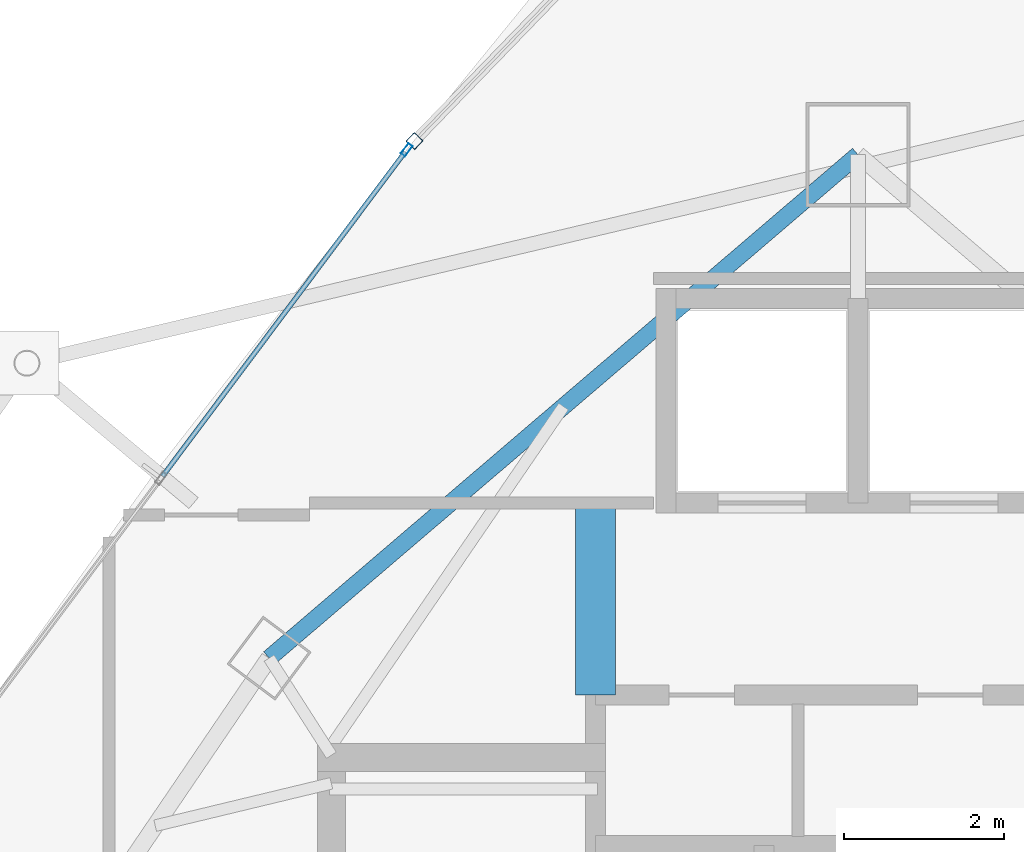
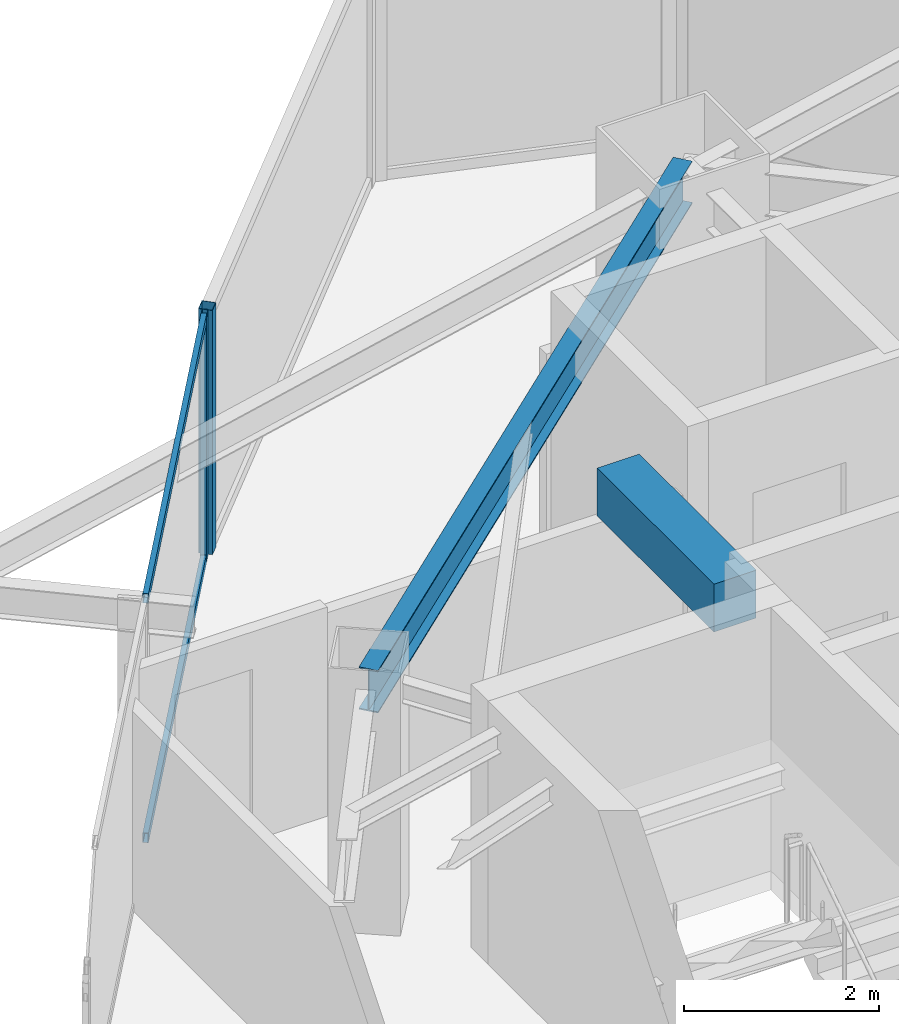
# One storey, part 24 of 34: 4 members, 2 beams, 2 elements without a shape of their own.
"""IFC4 building model written with IfcOpenShell, lengths in metres."""

from ifc_helpers import new_model, si_unit, direction, frame, origin, origin_2d, place, context, subcontext, project, spatial, rectangle, hollow_rectangle, i_section, extrude, material, layer, layer_set, material_profile, profile_set, type_object, element, aggregate, save


model = new_model("IFC4")

# Units and contexts
model_context = context("Model", 3, precision=1e-05, world=origin(), true_north=direction((0.0, 1.0)))
body_context = subcontext(model_context, "Body", "Model", "MODEL_VIEW")
ifc_project = project(units=[si_unit("LENGTHUNIT", "METRE"), si_unit("AREAUNIT", "SQUARE_METRE"), si_unit("VOLUMEUNIT", "CUBIC_METRE"), si_unit("PLANEANGLEUNIT", "RADIAN"), si_unit("MASSUNIT", "GRAM", prefix="KILO")], contexts=[model_context])

# Site, building, storey
site_placement = place(None, origin())
site = spatial("IfcSite", under=ifc_project, at=site_placement, CompositionType="ELEMENT")
building_placement = place(site_placement, origin())
building = spatial("IfcBuilding", under=site, at=building_placement, Name="Orvanel Arch Residences", CompositionType="ELEMENT")
storey_placement = place(building_placement, frame((0.0, 0.0, 203.0)))
storey = spatial("IfcBuildingStorey", under=building, at=storey_placement, Name="L57", CompositionType="ELEMENT", Elevation=203.0)

# Beam
ifc_material_1 = material(Name="Concrete S65 (65 MPa)", Category="concrete")
ifc_material_profile_1 = material_profile(ifc_material_1, rectangle(XDim=0.5, YDim=0.60009765625, at=origin_2d()), Name="RC500x600")
ifc_profile_set_1 = profile_set([ifc_material_profile_1], Name="Concrete S65 (65 MPa)")
beam_type_1 = type_object("IfcBeamType", Name="CB-500x600", PredefinedType="LINTEL", material=ifc_profile_set_1)
beam_1_placement = place(storey_placement, frame((29.72509765625, 34.64990234375, 2.760009765625), z_axis=(0.0, 1.0, 0.0), x_axis=(-1.0, 0.0, 0.0)))
element("IfcBeam", 1, at=beam_1_placement, inside=storey, type_object=beam_type_1, Name="L57 West Core Lobby Coupling Lintel Beam", PredefinedType="LINTEL", context=body_context, shape_type="SweptSolid", body=[
    extrude(rectangle(XDim=0.5, YDim=0.60009765625, at=origin_2d()), origin(), (0.0, 0.0, 1.0), 2.400146484375),
])

# Curtain wall, member
ifc_material_2 = material(Name="Bronze-anodised aluminium AA6063-T6", Category="aluminium")
ifc_layer_1 = layer(ifc_material_2, 0.18994140625)
ifc_layer_set_1 = layer_set([ifc_layer_1], Name="Bronze-anodised aluminium AA6063-T6")
curtain_wall_type_1 = type_object("IfcCurtainWallType", Name="CW5-CRN-SYS", PredefinedType="NOTDEFINED", material=ifc_layer_set_1)
curtain_wall_1_placement = place(storey_placement, origin())
curtain_wall_1 = element("IfcCurtainWall", 2, at=curtain_wall_1_placement, inside=storey, type_object=curtain_wall_type_1, Name="L57 CW5-CRN-SYS Unitised Curtain Wall", PredefinedType="NOTDEFINED")
ifc_material_profile_2 = material_profile(ifc_material_2, hollow_rectangle(XDim=0.14990234375, YDim=0.14990234375, WallThickness=0.0048828125, at=origin_2d()), Name="ALU150x150x5")
ifc_profile_set_2 = profile_set([ifc_material_profile_2], Name="Bronze-anodised aluminium AA6063-T6")
member_type_1 = type_object("IfcMemberType", Name="MUL-150x150", PredefinedType="MULLION", material=ifc_profile_set_2)
member_1_placement = place(storey_placement, frame((27.463134765625, 41.56884765625, 0.0), z_axis=(0.0, 0.0, 1.0), x_axis=(0.718665152295, -0.695356310733, 0.0)))
member_1 = element("IfcMember", 3, at=member_1_placement, type_object=member_type_1, Name="CW-S5 mullion 2", PredefinedType="MULLION", context=body_context, shape_type="SweptSolid", body=[
    extrude(hollow_rectangle(XDim=0.14990234375, YDim=0.14990234375, WallThickness=0.0048828125, at=origin_2d()), origin(), (0.0, 0.0, 1.0), 3.06005859375),
])
aggregate(curtain_wall_1, [member_1])

ifc_layer_2 = layer(ifc_material_2, 0.175048828125)
ifc_layer_set_2 = layer_set([ifc_layer_2], Name="Bronze-anodised aluminium AA6063-T6")
curtain_wall_type_2 = type_object("IfcCurtainWallType", Name="CW4-HI-SYS", PredefinedType="NOTDEFINED", material=ifc_layer_set_2)
curtain_wall_2_placement = place(storey_placement, origin())
curtain_wall_2 = element("IfcCurtainWall", 4, at=curtain_wall_2_placement, inside=storey, type_object=curtain_wall_type_2, Name="L57 CW4-HI-SYS Unitised Curtain Wall", PredefinedType="NOTDEFINED")
ifc_material_profile_3 = material_profile(ifc_material_2, hollow_rectangle(XDim=0.06494140625, YDim=0.159912109375, WallThickness=0.00390625, at=origin_2d()), Name="ALU160x65x4")
ifc_profile_set_3 = profile_set([ifc_material_profile_3], Name="Bronze-anodised aluminium AA6063-T6")
member_type_2 = type_object("IfcMemberType", Name="MUL-160x65", PredefinedType="MULLION", material=ifc_profile_set_3)
member_2_placement = place(storey_placement, frame((27.365478515625, 41.458984375, 0.0), z_axis=(0.0, 0.0, 1.0), x_axis=(0.800790783216, -0.598944172287, 0.0)))
member_2 = element("IfcMember", 5, at=member_2_placement, type_object=member_type_2, Name="CW-S4 mullion 1", PredefinedType="MULLION", context=body_context, shape_type="SweptSolid", body=[
    extrude(hollow_rectangle(XDim=0.06494140625, YDim=0.159912109375, WallThickness=0.00390625, at=origin_2d()), origin(), (0.0, 0.0, 1.0), 3.06005859375),
])

# Beam
ifc_material_3 = material(Name="Structural steel AS/NZS 3679.1 Grade 300 (300 MPa)", Category="steel")
ifc_material_profile_4 = material_profile(ifc_material_3, i_section(OverallWidth=0.208984375, OverallDepth=0.532958984375, WebThickness=0.01025390625, FlangeThickness=0.015625, at=origin_2d()), Name="530UB92.4")
ifc_profile_set_4 = profile_set([ifc_material_profile_4], Name="Structural steel AS/NZS 3679.1 Grade 300 (300 MPa)")
beam_type_2 = type_object("IfcBeamType", Name="SP-530UB", PredefinedType="SPANDREL", material=ifc_profile_set_4)
beam_2_placement = place(storey_placement, frame((33.0, 41.39794921875, 2.79296875), z_axis=(-0.760116518398, -0.649786794617, 0.0), x_axis=(0.649786794617, -0.760116518398, 0.0)))
element("IfcBeam", 6, at=beam_2_placement, inside=storey, type_object=beam_type_2, Name="L57 Perimeter Spandrel Beam 10", PredefinedType="SPANDREL", context=body_context, shape_type="SweptSolid", body=[
    extrude(i_section(OverallWidth=0.208984375, OverallDepth=0.532958984375, WebThickness=0.01025390625, FlangeThickness=0.015625, at=origin_2d()), origin(), (0.0, 0.0, 1.0), 9.67236328125),
])

# Member
ifc_material_profile_5 = material_profile(ifc_material_2, hollow_rectangle(XDim=0.06005859375, YDim=0.1201171875, WallThickness=0.00341796875, at=origin_2d()), Name="ALU120x60x3.5")
ifc_profile_set_5 = profile_set([ifc_material_profile_5], Name="Bronze-anodised aluminium AA6063-T6")
member_type_3 = type_object("IfcMemberType", Name="TRN-120x60", PredefinedType="USERDEFINED", material=ifc_profile_set_5)
member_3_placement = place(storey_placement, frame((27.345947265625, 41.432861328125, 0.030029296875), z_axis=(-0.598949016829, -0.800787159762, 0.0), x_axis=(0.800787159762, -0.598949016829, 0.0)))
member_3 = element("IfcMember", 7, at=member_3_placement, type_object=member_type_3, Name="CW-S4 transom 1.1", ObjectType="TRANSOM", PredefinedType="USERDEFINED", context=body_context, shape_type="SweptSolid", body=[
    extrude(hollow_rectangle(XDim=0.06005859375, YDim=0.1201171875, WallThickness=0.00341796875, at=origin_2d()), origin(), (0.0, 0.0, 1.0), 5.057373046875),
])

member_4_placement = place(storey_placement, frame((27.345947265625, 41.432861328125, 3.030029296875), z_axis=(-0.598949016829, -0.800787159762, 0.0), x_axis=(0.800787159762, -0.598949016829, 0.0)))
member_4 = element("IfcMember", 8, at=member_4_placement, type_object=member_type_3, Name="CW-S4 transom 1.2", ObjectType="TRANSOM", PredefinedType="USERDEFINED", context=body_context, shape_type="SweptSolid", body=[
    extrude(hollow_rectangle(XDim=0.06005859375, YDim=0.1201171875, WallThickness=0.00341796875, at=origin_2d()), origin(), (0.0, 0.0, 1.0), 5.057373046875),
])

aggregate(curtain_wall_2, [member_2, member_3, member_4])

save(model, "model.ifc")
